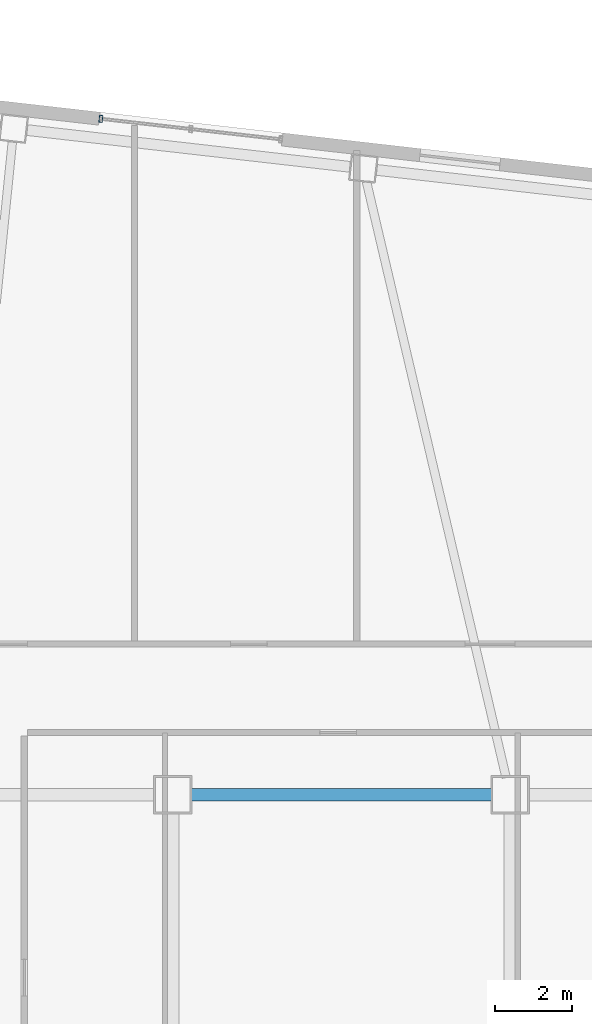
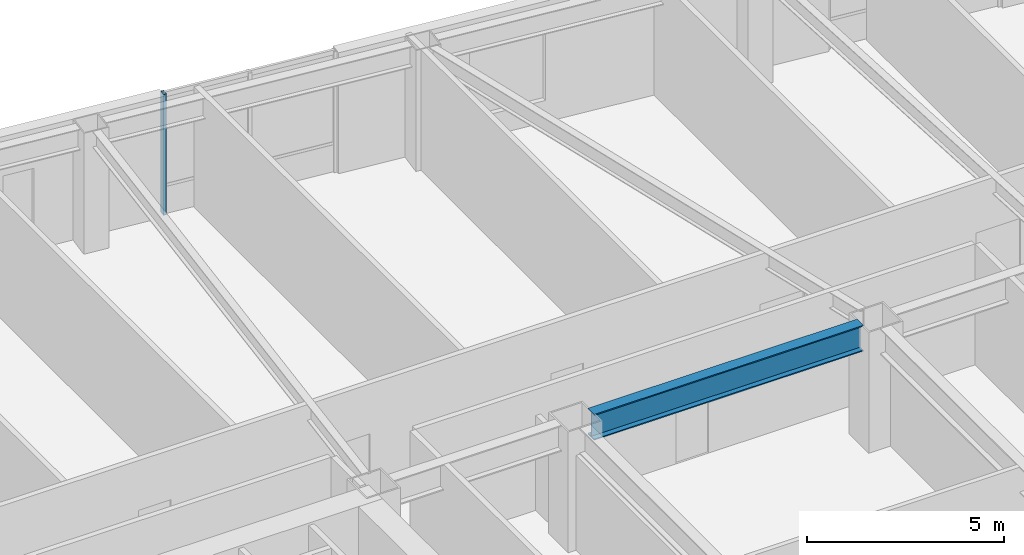
# One storey, part 6 of 21: 1 beam, 1 member, 1 element without a shape of its own.
"""IFC4 building model written with IfcOpenShell, lengths in metres."""

from ifc_helpers import new_model, si_unit, direction, frame, origin, origin_2d, place, context, subcontext, project, spatial, hollow_rectangle, i_section, extrude, material, layer, layer_set, material_profile, profile_set, type_object, element, aggregate, save


model = new_model("IFC4")

# Units and contexts
model_context = context("Model", 3, precision=1e-05, world=origin(), true_north=direction((0.0, 1.0)))
body_context = subcontext(model_context, "Body", "Model", "MODEL_VIEW")
ifc_project = project(units=[si_unit("LENGTHUNIT", "METRE"), si_unit("AREAUNIT", "SQUARE_METRE"), si_unit("VOLUMEUNIT", "CUBIC_METRE"), si_unit("PLANEANGLEUNIT", "RADIAN"), si_unit("MASSUNIT", "GRAM", prefix="KILO")], contexts=[model_context])

# Site, building, storey
site_placement = place(None, origin())
site = spatial("IfcSite", under=ifc_project, at=site_placement, CompositionType="ELEMENT")
building_placement = place(site_placement, origin())
building = spatial("IfcBuilding", under=site, at=building_placement, Name="Tavrogorsk Clinical Tower", CompositionType="ELEMENT")
storey_placement = place(building_placement, frame((0.0, 0.0, 133.39990234375)))
storey = spatial("IfcBuildingStorey", under=building, at=storey_placement, Name="L30", CompositionType="ELEMENT", Elevation=133.39990234375)

# Curtain wall, member
ifc_material_1 = material(Name="Anodised aluminium and triple IGU glazing", Category="aluminium")
ifc_layer = layer(ifc_material_1, 0.179931640625)
ifc_layer_set = layer_set([ifc_layer], Name="Anodised aluminium and triple IGU glazing")
curtain_wall_type = type_object("IfcCurtainWallType", Name="CW2_NorthSlot", PredefinedType="NOTDEFINED", material=ifc_layer_set)
curtain_wall_placement = place(storey_placement, origin())
curtain_wall = element("IfcCurtainWall", 1, at=curtain_wall_placement, inside=storey, type_object=curtain_wall_type, Name="L30 Curtain Wall CW-L30-N-SLOT-1", PredefinedType="NOTDEFINED")
ifc_material_2 = material(Name="Anodised aluminium alloy AW-6060", Category="aluminium")
ifc_material_profile_1 = material_profile(ifc_material_2, hollow_rectangle(XDim=0.090087890625, YDim=0.179931640625, WallThickness=0.00634765625, at=origin_2d()), Name="RHS-180x90x6.3")
ifc_profile_set_1 = profile_set([ifc_material_profile_1], Name="Anodised aluminium alloy AW-6060")
member_type = type_object("IfcMemberType", Name="CwMullion_180x90", PredefinedType="MULLION", material=ifc_profile_set_1)
member_placement = place(storey_placement, frame((-6.273681640625, 23.9775390625, 0.0), z_axis=(0.0, 0.0, 1.0), x_axis=(-0.993571858269, 0.113203191016, 0.0)))
member = element("IfcMember", 2, at=member_placement, type_object=member_type, Name="CW-L30-N-SLOT-1 Mullion 3", PredefinedType="MULLION", context=body_context, shape_type="SweptSolid", body=[
    extrude(hollow_rectangle(XDim=0.090087890625, YDim=0.179931640625, WallThickness=0.00634765625, at=origin_2d()), origin(), (0.0, 0.0, 1.0), 3.739990234375),
])
aggregate(curtain_wall, [member])

# Beam
ifc_material_3 = material(Name="Structural steel S390", Category="steel")
ifc_material_profile_2 = material_profile(ifc_material_3, i_section(OverallWidth=0.320068359375, OverallDepth=0.800048828125, WebThickness=0.02001953125, FlangeThickness=0.033935546875, at=origin_2d()), Name="B-800x320x20x34")
ifc_profile_set_2 = profile_set([ifc_material_profile_2], Name="Structural steel S390")
beam_type = type_object("IfcBeamType", Name="PrimaryGirder_B800", PredefinedType="USERDEFINED", material=ifc_profile_set_2)
beam_placement = place(storey_placement, frame((-3.93994140625, 6.35009765625, 3.340087890625), z_axis=(1.0, 0.0, 0.0), x_axis=(0.0, 1.0, 0.0)))
element("IfcBeam", 3, at=beam_placement, inside=storey, type_object=beam_type, Name="L30 Primary Spine Girder MG-04", ObjectType="GIRDER", PredefinedType="USERDEFINED", context=body_context, shape_type="SweptSolid", body=[
    extrude(i_section(OverallWidth=0.320068359375, OverallDepth=0.800048828125, WebThickness=0.02001953125, FlangeThickness=0.033935546875, at=origin_2d()), origin(), (0.0, 0.0, 1.0), 7.8798828125),
])

save(model, "model.ifc")
